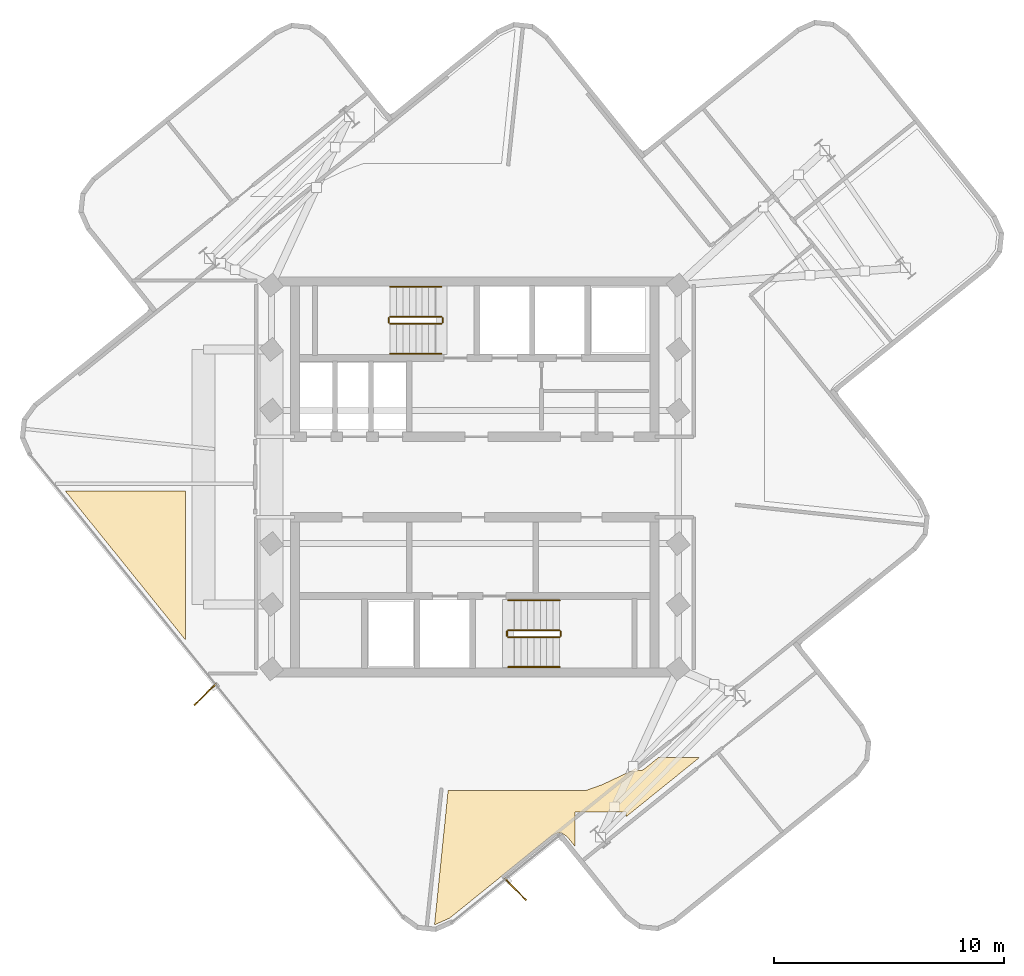
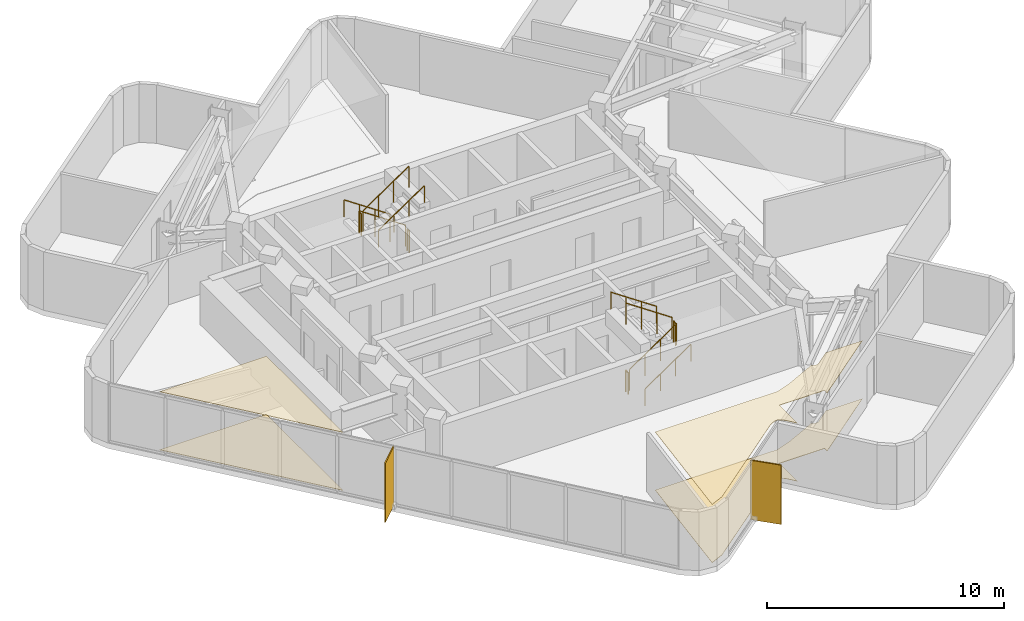
# One storey, part 8 of 9: 12 railings, 4 coverings, 2 shading devices.
"""IFC4 building model written with IfcOpenShell, lengths in metres."""

from ifc_helpers import new_model, si_unit, direction, frame, origin, origin_2d, place, context, subcontext, project, spatial, polyline, rectangle, circle, outline, extrude, material, layer, layer_set, type_object, element, save


model = new_model("IFC4")

# Units and contexts
model_context = context("Model", 3, precision=1e-05, world=origin(), true_north=direction((0.0, 1.0)))
body_context = subcontext(model_context, "Body", "Model", "MODEL_VIEW")
ifc_project = project(units=[si_unit("LENGTHUNIT", "METRE"), si_unit("AREAUNIT", "SQUARE_METRE"), si_unit("VOLUMEUNIT", "CUBIC_METRE"), si_unit("PLANEANGLEUNIT", "RADIAN"), si_unit("MASSUNIT", "GRAM", prefix="KILO")], contexts=[model_context])

# Site, building, storey
site_placement = place(None, origin())
site = spatial("IfcSite", under=ifc_project, at=site_placement, CompositionType="ELEMENT")
building_placement = place(site_placement, origin())
building = spatial("IfcBuilding", under=site, at=building_placement, Name="Solmarez Civic Tower", CompositionType="ELEMENT")
storey_placement = place(building_placement, frame((0.0, 0.0, 235.97998046875)))
storey = spatial("IfcBuildingStorey", under=building, at=storey_placement, Name="L63", CompositionType="ELEMENT", Elevation=235.97998046875)

# Coverings
ifc_material_1 = material(Name="Perforated Mineral-Fibre Acoustic Ceiling")
ifc_layer_1 = layer(ifc_material_1, 0.02490234375)
ifc_layer_set_1 = layer_set([ifc_layer_1], Name="Perforated Mineral-Fibre Acoustic Ceiling")
covering_type_1 = type_object("IfcCoveringType", Name="COV-CEIL-ACOUSTIC", PredefinedType="CEILING", material=ifc_layer_set_1)
covering_1_placement = place(storey_placement, frame((0.0, 0.0, 2.9951171875)))
element("IfcCovering", 1, at=covering_1_placement, inside=storey, type_object=covering_type_1, Name="L63 Suspended Acoustic Ceiling 2", PredefinedType="CEILING", context=body_context, shape_type="SweptSolid", body=[
    extrude(outline(polyline([(3.839111328125, -15.52587890625), (3.85888671875, -15.5390625), (3.998046875, -15.639892578125), (4.011962890625, -15.65087890625), (4.02490234375, -15.662109375), (4.030029296875, -15.6669921875), (4.034912109375, -15.672119140625), (4.0400390625, -15.677001953125), (4.054931640625, -15.695068359375), (4.367919921875, -16.08203125), (4.367919921875, -14.571044921875), (6.568115234375, -14.571044921875), (6.568115234375, -14.7958984375), (9.785888671875, -12.199951171875), (8.001953125, -12.199951171875), (7.362060546875, -12.716064453125), (7.343017578125, -12.72998046875), (7.322021484375, -12.741943359375), (7.31396484375, -12.74609375), (7.298095703125, -12.7529296875), (7.29296875, -12.7548828125), (7.27392578125, -12.761962890625), (7.25390625, -12.76708984375), (7.2490234375, -12.76806640625), (7.243896484375, -12.76904296875), (7.222900390625, -12.77197265625), (7.200927734375, -12.77294921875), (7.19189453125, -12.77294921875), (7.169921875, -12.77197265625), (7.14892578125, -12.76904296875), (7.14404296875, -12.76806640625), (7.138916015625, -12.76708984375), (7.114990234375, -12.760986328125), (7.093017578125, -12.751953125), (7.083984375, -12.748046875), (7.06201171875, -12.737060546875), (7.041015625, -12.722900390625), (7.032958984375, -12.717041015625), (7.009033203125, -12.697021484375), (7.001953125, -12.68994140625), (6.9951171875, -12.680908203125), (6.842041015625, -12.77294921875), (6.826904296875, -12.781005859375), (6.81396484375, -12.787109375), (5.552978515625, -13.384033203125), (5.532958984375, -13.39208984375), (4.85107421875, -13.635986328125), (4.844970703125, -13.637939453125), (4.818115234375, -13.64501953125), (4.81298828125, -13.64599609375), (4.7919921875, -13.64892578125), (4.77001953125, -13.64990234375), (-1.162109375, -13.64990234375), (-1.7529296875, -19.48291015625), (-1.74609375, -19.48388671875), (-1.09912109375, -19.197998046875), (3.3369140625, -15.617919921875), (3.35302734375, -15.60595703125), (3.35888671875, -15.60205078125), (3.364990234375, -15.597900390625), (3.388916015625, -15.583984375), (3.39501953125, -15.5810546875), (3.404052734375, -15.576904296875), (3.56298828125, -15.507080078125), (3.570068359375, -15.50390625), (3.596923828125, -15.493896484375), (3.60400390625, -15.491943359375), (3.611083984375, -15.490966796875), (3.618896484375, -15.489013671875), (3.64501953125, -15.48388671875), (3.672119140625, -15.48193359375), (3.68701171875, -15.48193359375), (3.714111328125, -15.48388671875), (3.72607421875, -15.485107421875), (3.73291015625, -15.486083984375), (3.761962890625, -15.491943359375), (3.76904296875, -15.493896484375), (3.785888671875, -15.5), (3.7939453125, -15.5029296875), (3.81689453125, -15.512939453125), (3.839111328125, -15.52587890625)])), origin(), (0.0, 0.0, 1.0), 0.02490234375),
])
covering_2_placement = place(storey_placement, frame((0.0, 0.0, 2.9951171875)))
element("IfcCovering", 2, at=covering_2_placement, inside=storey, type_object=covering_type_1, Name="L63 Suspended Acoustic Ceiling 5", PredefinedType="CEILING", context=body_context, shape_type="SweptSolid", body=[
    extrude(outline(polyline([(-12.60009765625, -7.077880859375), (-12.60009765625, -0.60009765625), (-17.826904296875, -0.60009765625), (-12.60009765625, -7.077880859375)])), origin(), (0.0, 0.0, 1.0), 0.02490234375),
])
ifc_material_2 = material(Name="Polished Tropical Stone Terrazzo Flooring", Category="masonry")
ifc_layer_2 = layer(ifc_material_2, 0.02001953125)
ifc_layer_set_2 = layer_set([ifc_layer_2], Name="Polished Tropical Stone Terrazzo Flooring")
covering_type_2 = type_object("IfcCoveringType", Name="COV-FLOOR-TERRAZZO", PredefinedType="FLOORING", material=ifc_layer_set_2)
covering_3_placement = place(storey_placement, origin())
element("IfcCovering", 3, at=covering_3_placement, inside=storey, type_object=covering_type_2, Name="L63 Terrazzo Floor Finish 2", PredefinedType="FLOORING", context=body_context, shape_type="SweptSolid", body=[
    extrude(outline(polyline([(3.839111328125, -15.52587890625), (3.85888671875, -15.5390625), (3.998046875, -15.639892578125), (4.011962890625, -15.65087890625), (4.02490234375, -15.662109375), (4.030029296875, -15.6669921875), (4.034912109375, -15.672119140625), (4.0400390625, -15.677001953125), (4.054931640625, -15.695068359375), (4.367919921875, -16.08203125), (4.367919921875, -14.571044921875), (6.568115234375, -14.571044921875), (6.568115234375, -14.7958984375), (9.785888671875, -12.199951171875), (8.001953125, -12.199951171875), (7.362060546875, -12.716064453125), (7.343017578125, -12.72998046875), (7.322021484375, -12.741943359375), (7.31396484375, -12.74609375), (7.298095703125, -12.7529296875), (7.29296875, -12.7548828125), (7.27392578125, -12.761962890625), (7.25390625, -12.76708984375), (7.2490234375, -12.76806640625), (7.243896484375, -12.76904296875), (7.222900390625, -12.77197265625), (7.200927734375, -12.77294921875), (7.19189453125, -12.77294921875), (7.169921875, -12.77197265625), (7.14892578125, -12.76904296875), (7.14404296875, -12.76806640625), (7.138916015625, -12.76708984375), (7.114990234375, -12.760986328125), (7.093017578125, -12.751953125), (7.083984375, -12.748046875), (7.06201171875, -12.737060546875), (7.041015625, -12.722900390625), (7.032958984375, -12.717041015625), (7.009033203125, -12.697021484375), (7.001953125, -12.68994140625), (6.9951171875, -12.680908203125), (6.842041015625, -12.77294921875), (6.826904296875, -12.781005859375), (6.81396484375, -12.787109375), (5.552978515625, -13.384033203125), (5.532958984375, -13.39208984375), (4.85107421875, -13.635986328125), (4.844970703125, -13.637939453125), (4.818115234375, -13.64501953125), (4.81298828125, -13.64599609375), (4.7919921875, -13.64892578125), (4.77001953125, -13.64990234375), (-1.162109375, -13.64990234375), (-1.7529296875, -19.48291015625), (-1.74609375, -19.48388671875), (-1.09912109375, -19.197998046875), (3.3369140625, -15.617919921875), (3.35302734375, -15.60595703125), (3.35888671875, -15.60205078125), (3.364990234375, -15.597900390625), (3.388916015625, -15.583984375), (3.39501953125, -15.5810546875), (3.404052734375, -15.576904296875), (3.56298828125, -15.507080078125), (3.570068359375, -15.50390625), (3.596923828125, -15.493896484375), (3.60400390625, -15.491943359375), (3.611083984375, -15.490966796875), (3.618896484375, -15.489013671875), (3.64501953125, -15.48388671875), (3.672119140625, -15.48193359375), (3.68701171875, -15.48193359375), (3.714111328125, -15.48388671875), (3.72607421875, -15.485107421875), (3.73291015625, -15.486083984375), (3.761962890625, -15.491943359375), (3.76904296875, -15.493896484375), (3.785888671875, -15.5), (3.7939453125, -15.5029296875), (3.81689453125, -15.512939453125), (3.839111328125, -15.52587890625)])), origin(), (0.0, 0.0, 1.0), 0.02001953125),
])
covering_4_placement = place(storey_placement, origin())
element("IfcCovering", 4, at=covering_4_placement, inside=storey, type_object=covering_type_2, Name="L63 Terrazzo Floor Finish 5", PredefinedType="FLOORING", context=body_context, shape_type="SweptSolid", body=[
    extrude(outline(polyline([(-12.60009765625, -7.077880859375), (-12.60009765625, -0.60009765625), (-17.826904296875, -0.60009765625), (-12.60009765625, -7.077880859375)])), origin(), (0.0, 0.0, 1.0), 0.02001953125),
])

# Shading devices
ifc_material_3 = material(Name="Bronze Anodised Aluminium EN AW-6063 T6", Category="aluminium")
ifc_layer_3 = layer(ifc_material_3, 0.054931640625)
ifc_layer_set_3 = layer_set([ifc_layer_3], Name="Bronze Anodised Aluminium EN AW-6063 T6")
shading_device_type = type_object("IfcShadingDeviceType", Name="FIN-BRONZE-Z56", PredefinedType="USERDEFINED", material=ifc_layer_set_3)
for number, where, z_axis, x_axis, name in (
    (5, (1.76904296875, -17.943115234375, -0.0400390625), (0.0, 0.0, 1.0), (0.698615117311, -0.71549767146, 0.0), "L63 Anodised Bronze Solar Fin FIN-L63-01"),
    (6, (-11.73193359375, -9.466064453125, -0.0400390625), (0.0, 0.0, 1.0), (-0.715534249881, -0.698577652983, 0.0), "L63 Anodised Bronze Solar Fin FIN-L63-02"),
):
    element("IfcShadingDevice", number, at=place(storey_placement, frame(where, z_axis=z_axis, x_axis=x_axis)), inside=storey, type_object=shading_device_type, Name=name, ObjectType="FIN", PredefinedType="USERDEFINED", context=body_context, shape_type="SweptSolid", body=[
        extrude(rectangle(XDim=1.35009765625, YDim=0.054931640625, at=origin_2d()), origin(), (0.0, 0.0, 1.0), 3.06005859375),
    ])

# Railings
ifc_material_4 = material(Name="Painted Steel Stairwell Safety Guard", Category="steel")
railing_type_1 = type_object("IfcRailingType", Name="GUARD-STAIR-1120", PredefinedType="BALUSTRADE", material=ifc_material_4)
railing_1_placement = place(storey_placement, frame((-1.449951171875, 6.969970703125, 0.18994140625)))
element("IfcRailing", 7, at=railing_1_placement, inside=storey, type_object=railing_type_1, Name="L63 ST-1 stair guard 1", PredefinedType="BALUSTRADE", context=body_context, shape_type="SweptSolid", body=[
    extrude(circle(Radius=0.02392578125, at=origin_2d()), frame((0.0, 0.0, 1.09619140625), z_axis=(-0.827471284677, 0.0, 0.561508034703), x_axis=(0.0, -1.0, 0.0)), (0.0, 0.0, 1.0), 2.70703125),
    extrude(circle(Radius=0.02099609375, at=origin_2d()), origin(), (0.0, 0.0, 1.0), 1.072021484375),
    extrude(circle(Radius=0.02099609375, at=origin_2d()), frame((-0.74658203125, 0.0, 0.506591796875)), (0.0, 0.0, 1.0), 1.072021484375),
    extrude(circle(Radius=0.02099609375, at=origin_2d()), frame((-1.493408203125, 0.0, 1.013427734375)), (0.0, 0.0, 1.0), 1.072021484375),
    extrude(circle(Radius=0.02099609375, at=origin_2d()), frame((-2.239990234375, 0.0, 1.52001953125)), (0.0, 0.0, 1.0), 1.072021484375),
])
railing_2_placement = place(storey_placement, frame((-3.739990234375, 6.919921875, 1.7099609375)))
element("IfcRailing", 8, at=railing_2_placement, inside=storey, type_object=railing_type_1, Name="L63 ST-1 stair guard 2", PredefinedType="BALUSTRADE", context=body_context, shape_type="SweptSolid", body=[
    extrude(circle(Radius=0.02392578125, at=origin_2d()), frame((0.0, 0.0, 1.09619140625), z_axis=(0.0, -1.0, 0.0), x_axis=(1.0, 0.0, 0.0)), (0.0, 0.0, 1.0), 0.199951171875),
    extrude(circle(Radius=0.02099609375, at=origin_2d()), origin(), (0.0, 0.0, 1.0), 1.072021484375),
    extrude(circle(Radius=0.02099609375, at=origin_2d()), frame((0.0, -0.199951171875, 0.0)), (0.0, 0.0, 1.0), 1.072021484375),
])
railing_3_placement = place(storey_placement, frame((-3.68994140625, 6.669921875, 1.89990234375)))
element("IfcRailing", 9, at=railing_3_placement, inside=storey, type_object=railing_type_1, Name="L63 ST-1 stair guard 3", PredefinedType="BALUSTRADE", context=body_context, shape_type="SweptSolid", body=[
    extrude(circle(Radius=0.02392578125, at=origin_2d()), frame((0.0, 0.0, 1.09619140625), z_axis=(0.827471284677, 0.0, 0.561508034703), x_axis=(0.0, 1.0, 0.0)), (0.0, 0.0, 1.0), 2.70703125),
    extrude(circle(Radius=0.02099609375, at=origin_2d()), origin(), (0.0, 0.0, 1.0), 1.072021484375),
    extrude(circle(Radius=0.02099609375, at=origin_2d()), frame((0.74658203125, 0.0, 0.506591796875)), (0.0, 0.0, 1.0), 1.072021484375),
    extrude(circle(Radius=0.02099609375, at=origin_2d()), frame((1.493408203125, 0.0, 1.013427734375)), (0.0, 0.0, 1.0), 1.072021484375),
    extrude(circle(Radius=0.02099609375, at=origin_2d()), frame((2.239990234375, 0.0, 1.52001953125)), (0.0, 0.0, 1.0), 1.072021484375),
])
railing_4_placement = place(storey_placement, frame((-1.39990234375, 6.919921875, 0.0)))
element("IfcRailing", 10, at=railing_4_placement, inside=storey, type_object=railing_type_1, Name="L63 ST-1 stair guard 4", PredefinedType="BALUSTRADE", context=body_context, shape_type="SweptSolid", body=[
    extrude(circle(Radius=0.02392578125, at=origin_2d()), frame((0.0, 0.0, 1.09619140625), z_axis=(0.0, -1.0, 0.0), x_axis=(1.0, 0.0, 0.0)), (0.0, 0.0, 1.0), 0.199951171875),
    extrude(circle(Radius=0.02099609375, at=origin_2d()), origin(), (0.0, 0.0, 1.0), 1.072021484375),
    extrude(circle(Radius=0.02099609375, at=origin_2d()), frame((0.0, -0.199951171875, 0.0)), (0.0, 0.0, 1.0), 1.072021484375),
])
railing_5_placement = place(storey_placement, frame((1.449951171875, -6.969970703125, 0.18994140625)))
element("IfcRailing", 11, at=railing_5_placement, inside=storey, type_object=railing_type_1, Name="L63 ST-2 stair guard 1", PredefinedType="BALUSTRADE", context=body_context, shape_type="SweptSolid", body=[
    extrude(circle(Radius=0.02392578125, at=origin_2d()), frame((0.0, 0.0, 1.09619140625), z_axis=(0.827471284677, 0.0, 0.561508034703), x_axis=(0.0, 1.0, 0.0)), (0.0, 0.0, 1.0), 2.70703125),
    extrude(circle(Radius=0.02099609375, at=origin_2d()), origin(), (0.0, 0.0, 1.0), 1.072021484375),
    extrude(circle(Radius=0.02099609375, at=origin_2d()), frame((0.74658203125, 0.0, 0.506591796875)), (0.0, 0.0, 1.0), 1.072021484375),
    extrude(circle(Radius=0.02099609375, at=origin_2d()), frame((1.493408203125, 0.0, 1.013427734375)), (0.0, 0.0, 1.0), 1.072021484375),
    extrude(circle(Radius=0.02099609375, at=origin_2d()), frame((2.239990234375, 0.0, 1.52001953125)), (0.0, 0.0, 1.0), 1.072021484375),
])
railing_6_placement = place(storey_placement, frame((3.739990234375, -6.919921875, 1.7099609375)))
element("IfcRailing", 12, at=railing_6_placement, inside=storey, type_object=railing_type_1, Name="L63 ST-2 stair guard 2", PredefinedType="BALUSTRADE", context=body_context, shape_type="SweptSolid", body=[
    extrude(circle(Radius=0.02392578125, at=origin_2d()), frame((0.0, 0.0, 1.09619140625), z_axis=(0.0, 1.0, 0.0), x_axis=(-1.0, 0.0, 0.0)), (0.0, 0.0, 1.0), 0.199951171875),
    extrude(circle(Radius=0.02099609375, at=origin_2d()), origin(), (0.0, 0.0, 1.0), 1.072021484375),
    extrude(circle(Radius=0.02099609375, at=origin_2d()), frame((0.0, 0.199951171875, 0.0)), (0.0, 0.0, 1.0), 1.072021484375),
])
railing_7_placement = place(storey_placement, frame((3.68994140625, -6.669921875, 1.89990234375)))
element("IfcRailing", 13, at=railing_7_placement, inside=storey, type_object=railing_type_1, Name="L63 ST-2 stair guard 3", PredefinedType="BALUSTRADE", context=body_context, shape_type="SweptSolid", body=[
    extrude(circle(Radius=0.02392578125, at=origin_2d()), frame((0.0, 0.0, 1.09619140625), z_axis=(-0.827471284677, 0.0, 0.561508034703), x_axis=(0.0, -1.0, 0.0)), (0.0, 0.0, 1.0), 2.70703125),
    extrude(circle(Radius=0.02099609375, at=origin_2d()), origin(), (0.0, 0.0, 1.0), 1.072021484375),
    extrude(circle(Radius=0.02099609375, at=origin_2d()), frame((-0.74658203125, 0.0, 0.506591796875)), (0.0, 0.0, 1.0), 1.072021484375),
    extrude(circle(Radius=0.02099609375, at=origin_2d()), frame((-1.493408203125, 0.0, 1.013427734375)), (0.0, 0.0, 1.0), 1.072021484375),
    extrude(circle(Radius=0.02099609375, at=origin_2d()), frame((-2.239990234375, 0.0, 1.52001953125)), (0.0, 0.0, 1.0), 1.072021484375),
])
railing_8_placement = place(storey_placement, frame((1.39990234375, -6.919921875, 0.0)))
element("IfcRailing", 14, at=railing_8_placement, inside=storey, type_object=railing_type_1, Name="L63 ST-2 stair guard 4", PredefinedType="BALUSTRADE", context=body_context, shape_type="SweptSolid", body=[
    extrude(circle(Radius=0.02392578125, at=origin_2d()), frame((0.0, 0.0, 1.09619140625), z_axis=(0.0, 1.0, 0.0), x_axis=(-1.0, 0.0, 0.0)), (0.0, 0.0, 1.0), 0.199951171875),
    extrude(circle(Radius=0.02099609375, at=origin_2d()), origin(), (0.0, 0.0, 1.0), 1.072021484375),
    extrude(circle(Radius=0.02099609375, at=origin_2d()), frame((0.0, 0.199951171875, 0.0)), (0.0, 0.0, 1.0), 1.072021484375),
])
ifc_material_5 = material(Name="Brushed Stainless Steel Tube Handrail", Category="steel")
railing_type_2 = type_object("IfcRailingType", Name="HANDRAIL-STAIR-900", PredefinedType="HANDRAIL", material=ifc_material_5)
railing_9_placement = place(storey_placement, frame((-1.449951171875, 8.27001953125, 0.18994140625)))
element("IfcRailing", 15, at=railing_9_placement, inside=storey, type_object=railing_type_2, Name="L63 ST-1 stair handrail 1", PredefinedType="HANDRAIL", context=body_context, shape_type="SweptSolid", body=[
    extrude(circle(Radius=0.02392578125, at=origin_2d()), frame((0.0, 0.0, 0.8759765625), z_axis=(-0.827471284677, 0.0, 0.561508034703), x_axis=(0.0, -1.0, 0.0)), (0.0, 0.0, 1.0), 2.70703125),
    extrude(circle(Radius=0.02099609375, at=origin_2d()), origin(), (0.0, 0.0, 1.0), 0.851806640625),
    extrude(circle(Radius=0.02099609375, at=origin_2d()), frame((-0.74658203125, 0.0, 0.506591796875)), (0.0, 0.0, 1.0), 0.851806640625),
    extrude(circle(Radius=0.02099609375, at=origin_2d()), frame((-1.493408203125, 0.0, 1.013427734375)), (0.0, 0.0, 1.0), 0.851806640625),
    extrude(circle(Radius=0.02099609375, at=origin_2d()), frame((-2.239990234375, 0.0, 1.52001953125)), (0.0, 0.0, 1.0), 0.851806640625),
])
for number, where, name in (
    (16, (-3.68994140625, 5.3701171875, 1.89990234375), "L63 ST-1 stair handrail 2"),
    (17, (1.449951171875, -8.27001953125, 0.18994140625), "L63 ST-2 stair handrail 1"),
):
    element("IfcRailing", number, at=place(storey_placement, frame(where)), inside=storey, type_object=railing_type_2, Name=name, PredefinedType="HANDRAIL", context=body_context, shape_type="SweptSolid", body=[
        extrude(circle(Radius=0.02392578125, at=origin_2d()), frame((0.0, 0.0, 0.8759765625), z_axis=(0.827471284677, 0.0, 0.561508034703), x_axis=(0.0, 1.0, 0.0)), (0.0, 0.0, 1.0), 2.70703125),
        extrude(circle(Radius=0.02099609375, at=origin_2d()), origin(), (0.0, 0.0, 1.0), 0.851806640625),
        extrude(circle(Radius=0.02099609375, at=origin_2d()), frame((0.74658203125, 0.0, 0.506591796875)), (0.0, 0.0, 1.0), 0.851806640625),
        extrude(circle(Radius=0.02099609375, at=origin_2d()), frame((1.493408203125, 0.0, 1.013427734375)), (0.0, 0.0, 1.0), 0.851806640625),
        extrude(circle(Radius=0.02099609375, at=origin_2d()), frame((2.239990234375, 0.0, 1.52001953125)), (0.0, 0.0, 1.0), 0.851806640625),
    ])
railing_10_placement = place(storey_placement, frame((3.68994140625, -5.3701171875, 1.89990234375)))
element("IfcRailing", 18, at=railing_10_placement, inside=storey, type_object=railing_type_2, Name="L63 ST-2 stair handrail 2", PredefinedType="HANDRAIL", context=body_context, shape_type="SweptSolid", body=[
    extrude(circle(Radius=0.02392578125, at=origin_2d()), frame((0.0, 0.0, 0.8759765625), z_axis=(-0.827471284677, 0.0, 0.561508034703), x_axis=(0.0, -1.0, 0.0)), (0.0, 0.0, 1.0), 2.70703125),
    extrude(circle(Radius=0.02099609375, at=origin_2d()), origin(), (0.0, 0.0, 1.0), 0.851806640625),
    extrude(circle(Radius=0.02099609375, at=origin_2d()), frame((-0.74658203125, 0.0, 0.506591796875)), (0.0, 0.0, 1.0), 0.851806640625),
    extrude(circle(Radius=0.02099609375, at=origin_2d()), frame((-1.493408203125, 0.0, 1.013427734375)), (0.0, 0.0, 1.0), 0.851806640625),
    extrude(circle(Radius=0.02099609375, at=origin_2d()), frame((-2.239990234375, 0.0, 1.52001953125)), (0.0, 0.0, 1.0), 0.851806640625),
])

save(model, "model.ifc")
